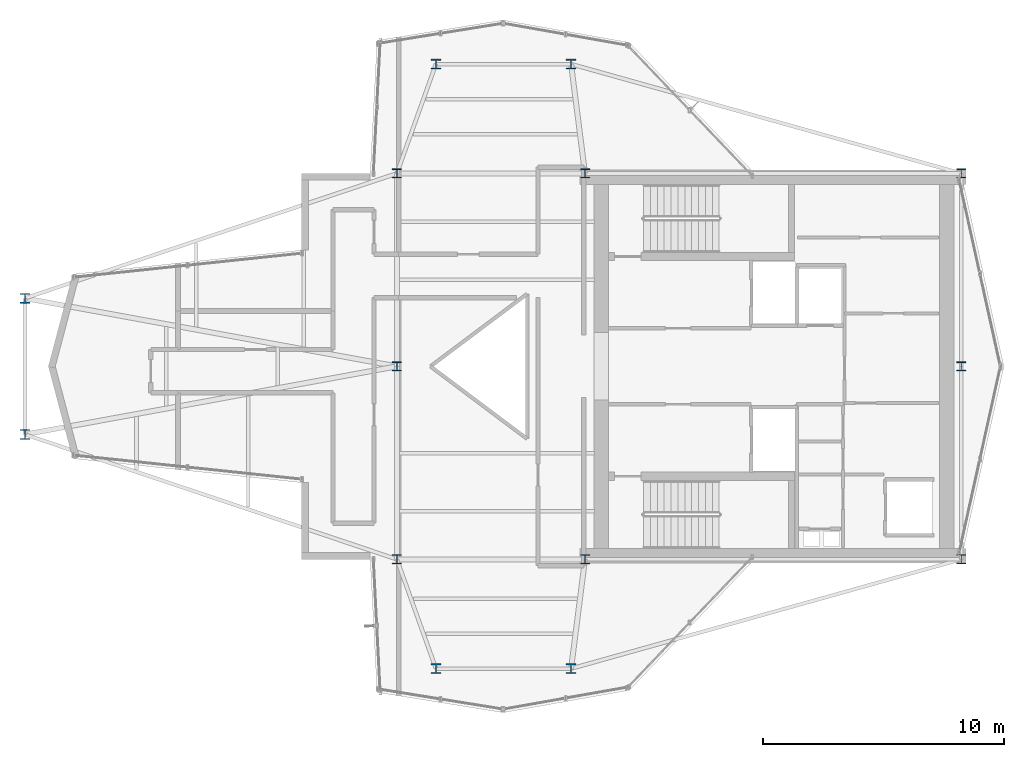
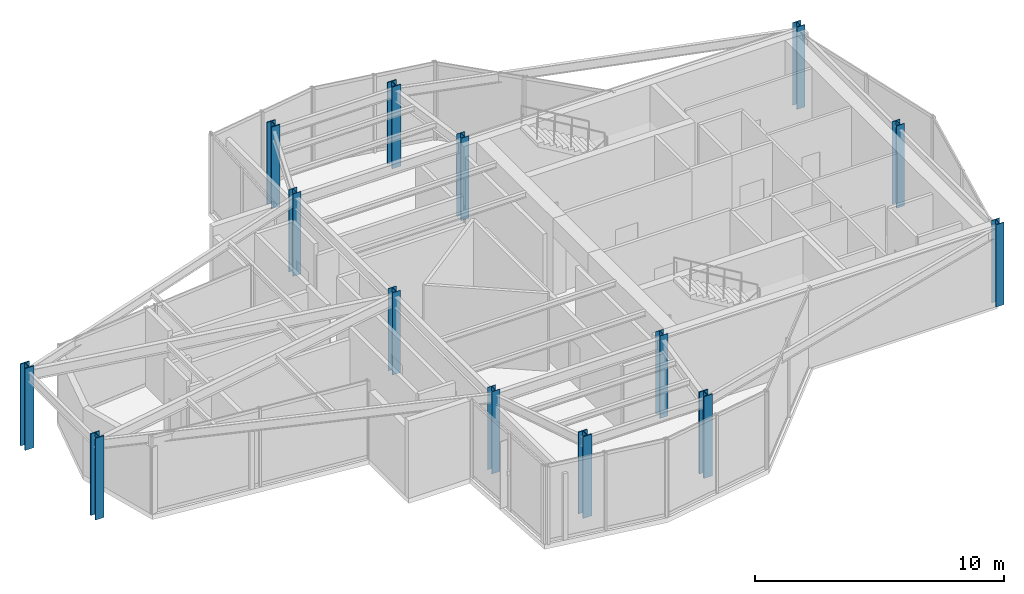
# One storey, part 1 of 13: 14 columns.
"""IFC4 building model written with IfcOpenShell, lengths in metres."""

from ifc_helpers import new_model, si_unit, direction, frame, origin, origin_2d, place, context, subcontext, project, spatial, i_section, extrude, material, material_profile, profile_set, type_object, element, save


model = new_model("IFC4")

# Units and contexts
model_context = context("Model", 3, precision=1e-05, world=origin(), true_north=direction((0.0, 1.0)))
body_context = subcontext(model_context, "Body", "Model", "MODEL_VIEW")
ifc_project = project(units=[si_unit("LENGTHUNIT", "METRE"), si_unit("AREAUNIT", "SQUARE_METRE"), si_unit("VOLUMEUNIT", "CUBIC_METRE"), si_unit("PLANEANGLEUNIT", "RADIAN"), si_unit("MASSUNIT", "GRAM", prefix="KILO")], contexts=[model_context])

# Site, building, storey
site_placement = place(None, origin())
site = spatial("IfcSite", under=ifc_project, at=site_placement, CompositionType="ELEMENT")
building_placement = place(site_placement, origin())
building = spatial("IfcBuilding", under=site, at=building_placement, Name="Veymaron Broadcast Tower", CompositionType="ELEMENT")
storey_placement = place(building_placement, frame((0.0, 0.0, 291.14990234375)))
storey = spatial("IfcBuildingStorey", under=building, at=storey_placement, Name="L68", CompositionType="ELEMENT", Elevation=291.14990234375)

# Columns
ifc_material_1 = material(Name="Structural steel ASTM A992 Gr 50", Category="steel")
ifc_material_profile_1 = material_profile(ifc_material_1, i_section(OverallWidth=0.373046875, OverallDepth=0.367919921875, WebThickness=0.014892578125, FlangeThickness=0.02392578125, at=origin_2d()), Name="W360X179")
ifc_profile_set_1 = profile_set([ifc_material_profile_1], Name="Structural steel ASTM A992 Gr 50")
column_type_1 = type_object("IfcColumnType", Name="COL-HC4", PredefinedType="COLUMN", material=ifc_profile_set_1)
for number, where, z_axis, x_axis, name in (
    (1, (31.199951171875, 16.0, 0.0), (0.0, 0.0, 1.0), (1.0, 0.0, 0.0), "L68 structural hub and core column"),
    (2, (31.199951171875, 24.0, 0.0), (0.0, 0.0, 1.0), (1.0, 0.0, 0.0), "L68 structural hub and core column"),
    (3, (31.199951171875, 32.0, 0.0), (0.0, 0.0, 1.0), (1.0, 0.0, 0.0), "L68 structural hub and core column"),
    (4, (39.0, 16.0, 0.0), (0.0, 0.0, 1.0), (1.0, 0.0, 0.0), "L68 structural hub and core column"),
    (5, (39.0, 32.0, 0.0), (0.0, 0.0, 1.0), (1.0, 0.0, 0.0), "L68 structural hub and core column"),
    (6, (54.60009765625, 16.0, 0.0), (0.0, 0.0, 1.0), (1.0, 0.0, 0.0), "L68 structural hub and core column"),
    (7, (54.60009765625, 24.0, 0.0), (0.0, 0.0, 1.0), (1.0, 0.0, 0.0), "L68 structural hub and core column"),
    (8, (54.60009765625, 32.0, 0.0), (0.0, 0.0, 1.0), (1.0, 0.0, 0.0), "L68 structural hub and core column"),
):
    element("IfcColumn", number, at=place(storey_placement, frame(where, z_axis=z_axis, x_axis=x_axis)), inside=storey, type_object=column_type_1, Name=name, PredefinedType="COLUMN", context=body_context, shape_type="SweptSolid", body=[
        extrude(i_section(OverallWidth=0.373046875, OverallDepth=0.367919921875, WebThickness=0.014892578125, FlangeThickness=0.02392578125, at=origin_2d()), origin(), (0.0, 0.0, 1.0), 4.044189453125),
    ])
ifc_material_2 = material(Name="Structural steel ASTM A913 Gr 65", Category="steel")
ifc_material_profile_2 = material_profile(ifc_material_2, i_section(OverallWidth=0.406005859375, OverallDepth=0.416015625, WebThickness=0.02978515625, FlangeThickness=0.048095703125, at=origin_2d()), Name="W360X382")
ifc_profile_set_2 = profile_set([ifc_material_profile_2], Name="Structural steel ASTM A913 Gr 65")
column_type_2 = type_object("IfcColumnType", Name="COL-MC4", PredefinedType="COLUMN", material=ifc_profile_set_2)
for number, where, z_axis, x_axis, name in (
    (9, (15.7763671875, 21.177978515625, 0.01611328125), (0.0, 0.0, 1.0), (1.0, 0.0, 0.0), "L68 Tapered Wing Mega Column"),
    (10, (15.7763671875, 26.822021484375, 0.01611328125), (0.0, 0.0, 1.0), (1.0, 0.0, 0.0), "L68 Tapered Wing Mega Column"),
    (11, (32.818359375, 36.531982421875, 0.01611328125), (0.0, 0.0, 1.0), (1.0, 0.0, 0.0), "L68 Tapered Wing Mega Column"),
    (12, (38.422119140625, 36.531982421875, 0.01611328125), (0.0, 0.0, 1.0), (1.0, 0.0, 0.0), "L68 Tapered Wing Mega Column"),
    (13, (32.818359375, 11.468017578125, 0.01611328125), (0.0, 0.0, 1.0), (1.0, 0.0, 0.0), "L68 Tapered Wing Mega Column"),
    (14, (38.422119140625, 11.468017578125, 0.01611328125), (0.0, 0.0, 1.0), (1.0, 0.0, 0.0), "L68 Tapered Wing Mega Column"),
):
    element("IfcColumn", number, at=place(storey_placement, frame(where, z_axis=z_axis, x_axis=x_axis)), inside=storey, type_object=column_type_2, Name=name, PredefinedType="COLUMN", context=body_context, shape_type="SweptSolid", body=[
        extrude(i_section(OverallWidth=0.406005859375, OverallDepth=0.416015625, WebThickness=0.02978515625, FlangeThickness=0.048095703125, at=origin_2d()), origin(), (0.0, 0.0, 1.0), 4.01806640625),
    ])

save(model, "model.ifc")
